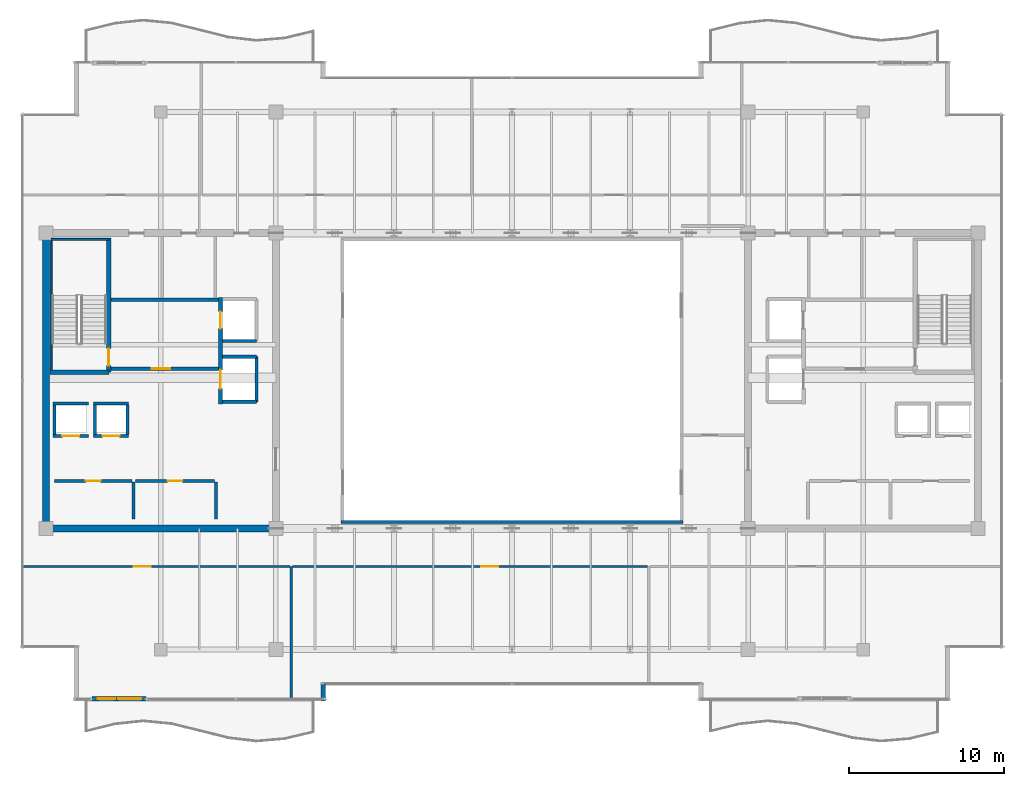
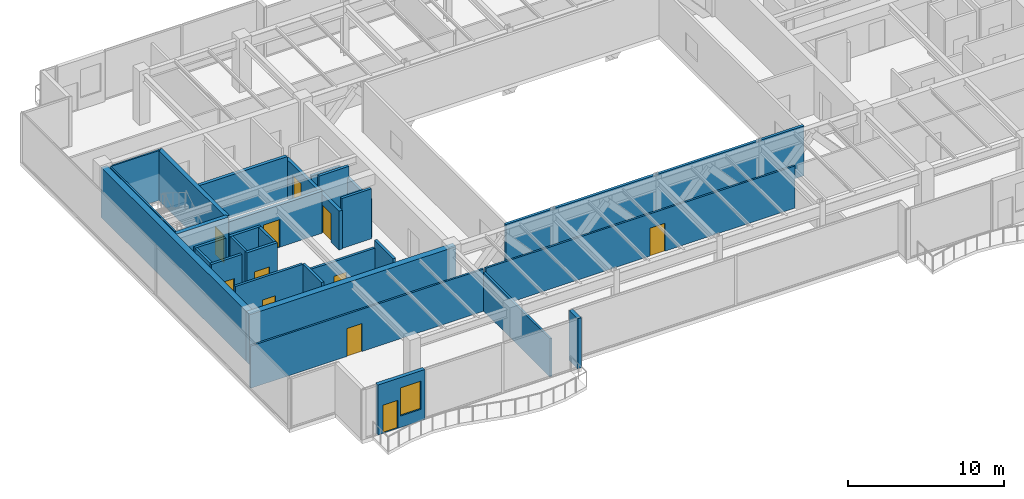
# One storey, part 25 of 31: 30 walls, 11 doors, 1 window, 12 openings.
"""IFC4 building model written with IfcOpenShell, lengths in metres."""

from ifc_helpers import new_model, si_unit, direction, frame, frame_2d, origin, place, context, subcontext, project, spatial, rectangle, extrude, source, transform, mapped, material, layer, layer_set, type_object, type_shapes, element, fill, save


model = new_model("IFC4")

# Units and contexts
model_context = context("Model", 3, precision=1e-05, world=origin(), true_north=direction((0.0, 1.0)))
body_context = subcontext(model_context, "Body", "Model", "MODEL_VIEW")
ifc_project = project(units=[si_unit("LENGTHUNIT", "METRE"), si_unit("AREAUNIT", "SQUARE_METRE"), si_unit("VOLUMEUNIT", "CUBIC_METRE"), si_unit("PLANEANGLEUNIT", "RADIAN"), si_unit("MASSUNIT", "GRAM", prefix="KILO")], contexts=[model_context])

# Site, building, storey
site_placement = place(None, origin())
site = spatial("IfcSite", under=ifc_project, at=site_placement, CompositionType="ELEMENT")
building_placement = place(site_placement, origin())
building = spatial("IfcBuilding", under=site, at=building_placement, Name="Haelvirn Gate Laboratories", CompositionType="ELEMENT")
storey_placement = place(building_placement, frame((0.0, 0.0, 310.199951171875)))
storey = spatial("IfcBuildingStorey", under=building, at=storey_placement, Name="L74", CompositionType="ELEMENT", Elevation=310.199951171875)

# Wall, openings, door, window
ifc_material_1 = material(Name="Thermally-broken bronze aluminium rainscreen & mineral wool", Category="aluminium")
ifc_layer_1 = layer(ifc_material_1, 0.280029296875, Name="EW-TERR-280")
ifc_layer_set_1 = layer_set([ifc_layer_1], Name="Thermally-broken bronze aluminium rainscreen & mineral wool")
wall_type_1 = type_object("IfcWallType", Name="EW-TERR-280", PredefinedType="STANDARD", material=ifc_layer_set_1)
wall_1_placement = place(storey_placement, frame((10.3720703125, 3.840087890625, 0.0), z_axis=(0.0, 0.0, 1.0), x_axis=(1.0, 0.0, 0.0)))
wall_1 = element("IfcWall", 1, at=wall_1_placement, inside=storey, type_object=wall_type_1, Name="L74 Terrace Access Wall WB-WL-S", PredefinedType="STANDARD", context=body_context, shape_type="SweptSolid", body=[
    extrude(rectangle(XDim=3.455810546875, YDim=0.280029296875, at=frame_2d((1.72802734375, 0.0))), origin(), (0.0, 0.0, 1.0), 3.900146484375),
])
opening_1_placement = place(wall_1_placement, frame((0.3779296875, 0.0, 0.0)))
opening_1 = element("IfcOpeningElement", 2, at=opening_1_placement, cuts=wall_1, Name="Opening TD1", PredefinedType="OPENING", context=body_context, shape_type="SweptSolid", body=[
    extrude(rectangle(XDim=1.10009765625, YDim=2.199951171875, at=frame_2d((0.550048828125, 1.10009765625))), frame((0.0, 0.14990234375, 0.0), z_axis=(0.0, -1.0, 0.0), x_axis=(1.0, 0.0, 0.0)), (0.0, 0.0, 1.0), 0.300048828125),
])
opening_2_placement = place(wall_1_placement, frame((1.677978515625, 0.0, 0.89990234375)))
opening_2 = element("IfcOpeningElement", 3, at=opening_2_placement, cuts=wall_1, Name="Opening W3", PredefinedType="OPENING", context=body_context, shape_type="SweptSolid", body=[
    extrude(rectangle(XDim=1.5, YDim=2.199951171875, at=frame_2d((0.75, 1.10009765625))), frame((0.0, 0.14990234375, 0.0), z_axis=(0.0, -1.0, 0.0), x_axis=(1.0, 0.0, 0.0)), (0.0, 0.0, 1.0), 0.300048828125),
])
ifc_material_2 = material(Name="Thermally-broken bronze aluminium glazed terrace door", Category="aluminium")
door_type_1 = type_object("IfcDoorType", Name="DR-TERR-1100", OperationType="NOTDEFINED", PredefinedType="DOOR", material=ifc_material_2)
shared_shape_1 = source(origin(), body_context, "Body", "SweptSolid", [
    extrude(rectangle(XDim=1.10009765625, YDim=2.199951171875, at=frame_2d((0.550048828125, 1.10009765625))), frame((0.0, 0.02490234375, 0.0), z_axis=(0.0, -1.0, 0.0), x_axis=(1.0, 0.0, 0.0)), (0.0, 0.0, 1.0), 0.050048828125),
])
type_shapes(door_type_1, [shared_shape_1])
door_1_placement = place(opening_1_placement, origin())
door_1 = element("IfcDoor", 4, at=door_1_placement, inside=storey, type_object=door_type_1, Name="L74 Terrace Access Door WB-WL-S", OperationType="SINGLE_SWING_LEFT", OverallHeight=2.199951171875, OverallWidth=1.10009765625, PredefinedType="DOOR", context=body_context, shape_type="MappedRepresentation", body=[
    mapped(shared_shape_1, transform((0.0, 0.0, 0.0), scale=1.0)),
])
fill(opening_1, door_1)
ifc_material_3 = material(Name="Bronze anodised aluminium & triple low-E glass", Category="aluminium")
window_type = type_object("IfcWindowType", Name="WIN-TERR-1600", PartitioningType="SINGLE_PANEL", PredefinedType="WINDOW", material=ifc_material_3)
shared_shape_2 = source(origin(), body_context, "Body", "SweptSolid", [
    extrude(rectangle(XDim=1.5, YDim=2.199951171875, at=frame_2d((0.75, 1.10009765625))), frame((0.0, 0.030029296875, 0.0), z_axis=(0.0, -1.0, 0.0), x_axis=(1.0, 0.0, 0.0)), (0.0, 0.0, 1.0), 0.06005859375),
])
type_shapes(window_type, [shared_shape_2])
window_placement = place(opening_2_placement, origin())
window = element("IfcWindow", 5, at=window_placement, inside=storey, type_object=window_type, Name="L74 Terrace Vision Window WB-WL-S", OverallHeight=2.199951171875, OverallWidth=1.5, PartitioningType="SINGLE_PANEL", PredefinedType="WINDOW", context=body_context, shape_type="MappedRepresentation", body=[
    mapped(shared_shape_2, transform((0.0, 0.0, 0.0), scale=1.0)),
])
fill(opening_2, window)

# Walls
wall_2_placement = place(storey_placement, frame((25.260009765625, 3.699951171875, 0.0), z_axis=(0.0, 0.0, 1.0), x_axis=(0.0, 1.0, 0.0)))
element("IfcWall", 6, at=wall_2_placement, inside=storey, type_object=wall_type_1, Name="L74 Atrium Recess Bronze Return Wall 01", PredefinedType="STANDARD", context=body_context, shape_type="SweptSolid", body=[
    extrude(rectangle(XDim=1.093017578125, YDim=0.280029296875, at=frame_2d((0.54638671875, 0.0))), origin(), (0.0, 0.0, 1.0), 3.900146484375),
])
ifc_material_4 = material(Name="Double-layer acoustic gypsum laboratory partition", Category="gypsum")
ifc_layer_2 = layer(ifc_material_4, 0.159912109375, Name="IW-ACOUST-160")
ifc_layer_set_2 = layer_set([ifc_layer_2], Name="Double-layer acoustic gypsum laboratory partition")
wall_type_2 = type_object("IfcWallType", Name="IW-ACOUST-160", PredefinedType="PARTITIONING", material=ifc_layer_set_2)
wall_3_placement = place(storey_placement, frame((23.199951171875, 3.81005859375, 0.0), z_axis=(0.0, 0.0, 1.0), x_axis=(0.0, 1.0, 0.0)))
element("IfcWall", 7, at=wall_3_placement, inside=storey, type_object=wall_type_2, Name="L74 Interior Wall IW-L74-SDIV-01", PredefinedType="PARTITIONING", context=body_context, shape_type="SweptSolid", body=[
    extrude(rectangle(XDim=8.530029296875, YDim=0.159912109375, at=frame_2d((4.26513671875, 0.0))), origin(), (0.0, 0.0, 1.0), 2.985107421875),
])
ifc_material_5 = material(Name="Tempered fire-rated borosilicate glass & anodised aluminium", Category="aluminium")
ifc_layer_3 = layer(ifc_material_5, 0.195068359375, Name="IW-GLAZ-200")
ifc_layer_set_3 = layer_set([ifc_layer_3], Name="Tempered fire-rated borosilicate glass & anodised aluminium")
wall_type_3 = type_object("IfcWallType", Name="IW-GLAZ-200", PredefinedType="SOLIDWALL", material=ifc_layer_set_3)
wall_4_placement = place(storey_placement, frame((26.39990234375, 15.199951171875, 0.0), z_axis=(0.0, 0.0, 1.0), x_axis=(1.0, 0.0, 0.0)))
element("IfcWall", 8, at=wall_4_placement, inside=storey, type_object=wall_type_3, Name="L74 Interior Wall IW-L74-ATRIUM-S", PredefinedType="SOLIDWALL", context=body_context, shape_type="SweptSolid", body=[
    extrude(rectangle(XDim=22.0, YDim=0.195068359375, at=frame_2d((11.0, 0.0))), origin(), (0.0, 0.0, 1.0), 3.900146484375),
])

# Wall, opening, door
ifc_material_6 = material(Name="Acoustic mineral-wool gypsum board partition", Category="gypsum")
ifc_layer_4 = layer(ifc_material_6, 0.139892578125, Name="IW-PART-140")
ifc_layer_set_4 = layer_set([ifc_layer_4], Name="Acoustic mineral-wool gypsum board partition")
wall_type_4 = type_object("IfcWallType", Name="IW-PART-140", PredefinedType="PARTITIONING", material=ifc_layer_set_4)
wall_5_placement = place(storey_placement, frame((5.909912109375, 12.340087890625, 0.0), z_axis=(0.0, 0.0, 1.0), x_axis=(1.0, 0.0, 0.0)))
wall_5 = element("IfcWall", 9, at=wall_5_placement, inside=storey, type_object=wall_type_4, Name="L74 Interior Wall IW-L74-SCORR-01", PredefinedType="PARTITIONING", context=body_context, shape_type="SweptSolid", body=[
    extrude(rectangle(XDim=17.210205078125, YDim=0.139892578125, at=frame_2d((8.60498046875, 0.0))), origin(), (0.0, 0.0, 1.0), 3.297119140625),
])
opening_3_placement = place(wall_5_placement, frame((7.13037109375, 0.0, 0.0)))
opening_3 = element("IfcOpeningElement", 10, at=opening_3_placement, cuts=wall_5, Name="Opening D1", PredefinedType="OPENING", context=body_context, shape_type="SweptSolid", body=[
    extrude(rectangle(XDim=1.10009765625, YDim=2.179931640625, at=frame_2d((0.550048828125, 1.08984375))), frame((0.0, 0.080078125, 0.0), z_axis=(0.0, -1.0, 0.0), x_axis=(1.0, 0.0, 0.0)), (0.0, 0.0, 1.0), 0.159912109375),
])
ifc_material_7 = material(Name="Vision-panel acoustic solid-core timber lab door", Category="wood")
door_type_2 = type_object("IfcDoorType", Name="DR-LAB-1100", OperationType="NOTDEFINED", PredefinedType="DOOR", material=ifc_material_7)
shared_shape_3 = source(origin(), body_context, "Body", "SweptSolid", [
    extrude(rectangle(XDim=1.10009765625, YDim=2.179931640625, at=frame_2d((0.550048828125, 1.08984375))), frame((0.0, 0.02490234375, 0.0), z_axis=(0.0, -1.0, 0.0), x_axis=(1.0, 0.0, 0.0)), (0.0, 0.0, 1.0), 0.050048828125),
])
type_shapes(door_type_2, [shared_shape_3])
door_2_placement = place(opening_3_placement, origin())
door_2 = element("IfcDoor", 11, at=door_2_placement, inside=storey, type_object=door_type_2, Name="L74 Peer-Review Seminar Room Door S1", OperationType="SINGLE_SWING_LEFT", OverallHeight=2.179931640625, OverallWidth=1.10009765625, PredefinedType="DOOR", context=body_context, shape_type="MappedRepresentation", body=[
    mapped(shared_shape_3, transform((0.0, 0.0, 0.0), scale=1.0)),
])
fill(opening_3, door_2)

wall_6_placement = place(storey_placement, frame((23.280029296875, 12.340087890625, 0.0), z_axis=(0.0, 0.0, 1.0), x_axis=(1.0, 0.0, 0.0)))
wall_6 = element("IfcWall", 12, at=wall_6_placement, inside=storey, type_object=wall_type_4, Name="L74 Interior Wall IW-L74-SCORR-02", PredefinedType="PARTITIONING", context=body_context, shape_type="SweptSolid", body=[
    extrude(rectangle(XDim=22.840087890625, YDim=0.139892578125, at=frame_2d((11.419921875, 0.0))), origin(), (0.0, 0.0, 1.0), 3.297119140625),
])
opening_4_placement = place(wall_6_placement, frame((12.13232421875, 0.0, 0.0)))
opening_4 = element("IfcOpeningElement", 13, at=opening_4_placement, cuts=wall_6, Name="Opening D1", PredefinedType="OPENING", context=body_context, shape_type="SweptSolid", body=[
    extrude(rectangle(XDim=1.10009765625, YDim=2.179931640625, at=frame_2d((0.550048828125, 1.08984375))), frame((0.0, 0.080078125, 0.0), z_axis=(0.0, -1.0, 0.0), x_axis=(1.0, 0.0, 0.0)), (0.0, 0.0, 1.0), 0.159912109375),
])
door_3_placement = place(opening_4_placement, origin())
door_3 = element("IfcDoor", 14, at=door_3_placement, inside=storey, type_object=door_type_2, Name="L74 Colloquium Conference Room Door S2", OperationType="SINGLE_SWING_RIGHT", OverallHeight=2.179931640625, OverallWidth=1.10009765625, PredefinedType="DOOR", context=body_context, shape_type="MappedRepresentation", body=[
    mapped(shared_shape_3, transform((0.0, 0.0, 0.0), scale=1.0)),
])
fill(opening_4, door_3)

# Walls
ifc_material_8 = material(Name="Concrete C40/50", Category="concrete")
ifc_layer_5 = layer(ifc_material_8, 0.179931640625, Name="IW-SHAFT-180")
ifc_layer_set_5 = layer_set([ifc_layer_5], Name="Concrete C40/50")
wall_type_5 = type_object("IfcWallType", Name="IW-SHAFT-180", PredefinedType="SOLIDWALL", material=ifc_layer_set_5)
for number, where, z_axis, x_axis, name in (
    (15, (7.949951171875, 20.85009765625, 0.0), (0.0, 0.0, 1.0), (0.0, 1.0, 0.0), "L74 Interior Wall IW-L74-PL9-SD"),
    (16, (10.550048828125, 20.85009765625, 0.0), (0.0, 0.0, 1.0), (0.0, 1.0, 0.0), "L74 Interior Wall IW-L74-PL10-SD"),
    (17, (12.64990234375, 20.85009765625, 0.0), (0.0, 0.0, 1.0), (0.0, 1.0, 0.0), "L74 Interior Wall IW-L74-PL10-SDE"),
):
    element("IfcWall", number, at=place(storey_placement, frame(where, z_axis=z_axis, x_axis=x_axis)), inside=storey, type_object=wall_type_5, Name=name, PredefinedType="SOLIDWALL", context=body_context, shape_type="SweptSolid", body=[
        extrude(rectangle(XDim=1.89990234375, YDim=0.179931640625, at=frame_2d((0.949951171875, 0.0))), origin(), (0.0, 0.0, 1.0), 3.900146484375),
    ])

# Wall, opening, door
wall_7_placement = place(storey_placement, frame((7.949951171875, 17.85009765625, 0.0), z_axis=(0.0, 0.0, 1.0), x_axis=(1.0, 0.0, 0.0)))
wall_7 = element("IfcWall", 18, at=wall_7_placement, inside=storey, type_object=wall_type_5, Name="L74 Interior Wall IW-L74-W-FREED-HN-1", PredefinedType="SOLIDWALL", context=body_context, shape_type="SweptSolid", body=[
    extrude(rectangle(XDim=5.0, YDim=0.179931640625, at=frame_2d((2.5, 0.0))), origin(), (0.0, 0.0, 1.0), 3.900146484375),
])
opening_5_placement = place(wall_7_placement, frame((2.02490234375, 0.0, 0.0)))
opening_5 = element("IfcOpeningElement", 19, at=opening_5_placement, cuts=wall_7, Name="Opening FD4", PredefinedType="OPENING", context=body_context, shape_type="SweptSolid", body=[
    extrude(rectangle(XDim=0.949951171875, YDim=2.14990234375, at=frame_2d((0.47509765625, 1.074951171875))), frame((0.0, 0.10009765625, 0.0), z_axis=(0.0, -1.0, 0.0), x_axis=(1.0, 0.0, 0.0)), (0.0, 0.0, 1.0), 0.199951171875),
])
ifc_material_9 = material(Name="Fire-rated steel SM355 core service door", Category="steel")
door_type_3 = type_object("IfcDoorType", Name="DR-FD-950", OperationType="NOTDEFINED", PredefinedType="DOOR", material=ifc_material_9)
shared_shape_4 = source(origin(), body_context, "Body", "SweptSolid", [
    extrude(rectangle(XDim=0.949951171875, YDim=2.14990234375, at=frame_2d((0.47509765625, 1.074951171875))), frame((0.0, 0.02490234375, 0.0), z_axis=(0.0, -1.0, 0.0), x_axis=(1.0, 0.0, 0.0)), (0.0, 0.0, 1.0), 0.050048828125),
])
type_shapes(door_type_3, [shared_shape_4])
door_4_placement = place(opening_5_placement, origin())
door_4 = element("IfcDoor", 20, at=door_4_placement, inside=storey, type_object=door_type_3, Name="L74 Cryogenic Specimen Biobank Door", OperationType="SINGLE_SWING_LEFT", OverallHeight=2.14990234375, OverallWidth=0.949951171875, PredefinedType="DOOR", context=body_context, shape_type="MappedRepresentation", body=[
    mapped(shared_shape_4, transform((0.0, 0.0, 0.0), scale=1.0)),
])
fill(opening_5, door_4)

# Wall
wall_8_placement = place(storey_placement, frame((13.0400390625, 15.39990234375, 0.0), z_axis=(0.0, 0.0, 1.0), x_axis=(0.0, 1.0, 0.0)))
element("IfcWall", 21, at=wall_8_placement, inside=storey, type_object=wall_type_5, Name="L74 Interior Wall IW-L74-W-FREED-HE-1", PredefinedType="SOLIDWALL", context=body_context, shape_type="SweptSolid", body=[
    extrude(rectangle(XDim=2.400146484375, YDim=0.179931640625, at=frame_2d((1.2001953125, 0.0))), origin(), (0.0, 0.0, 1.0), 3.900146484375),
])

# Wall, opening, door
wall_9_placement = place(storey_placement, frame((13.14990234375, 17.85009765625, 0.0), z_axis=(0.0, 0.0, 1.0), x_axis=(1.0, 0.0, 0.0)))
wall_9 = element("IfcWall", 22, at=wall_9_placement, inside=storey, type_object=wall_type_5, Name="L74 Interior Wall IW-L74-W-FREED-HN-2", PredefinedType="SOLIDWALL", context=body_context, shape_type="SweptSolid", body=[
    extrude(rectangle(XDim=5.10009765625, YDim=0.179931640625, at=frame_2d((2.550048828125, 0.0))), origin(), (0.0, 0.0, 1.0), 3.297119140625),
])
opening_6_placement = place(wall_9_placement, frame((2.074951171875, 0.0, 0.0)))
opening_6 = element("IfcOpeningElement", 23, at=opening_6_placement, cuts=wall_9, Name="Opening FD4", PredefinedType="OPENING", context=body_context, shape_type="SweptSolid", body=[
    extrude(rectangle(XDim=0.949951171875, YDim=2.14990234375, at=frame_2d((0.47509765625, 1.074951171875))), frame((0.0, 0.10009765625, 0.0), z_axis=(0.0, -1.0, 0.0), x_axis=(1.0, 0.0, 0.0)), (0.0, 0.0, 1.0), 0.199951171875),
])
door_5_placement = place(opening_6_placement, origin())
door_5 = element("IfcDoor", 24, at=door_5_placement, inside=storey, type_object=door_type_3, Name="L74 Cryo-Assay Preparation Laboratory Door", OperationType="SINGLE_SWING_RIGHT", OverallHeight=2.14990234375, OverallWidth=0.949951171875, PredefinedType="DOOR", context=body_context, shape_type="MappedRepresentation", body=[
    mapped(shared_shape_4, transform((0.0, 0.0, 0.0), scale=1.0)),
])
fill(opening_6, door_5)

# Wall
wall_10_placement = place(storey_placement, frame((18.340087890625, 15.39990234375, 0.0), z_axis=(0.0, 0.0, 1.0), x_axis=(0.0, 1.0, 0.0)))
element("IfcWall", 25, at=wall_10_placement, inside=storey, type_object=wall_type_5, Name="L74 Interior Wall IW-L74-W-FREED-HE-2", PredefinedType="SOLIDWALL", context=body_context, shape_type="SweptSolid", body=[
    extrude(rectangle(XDim=2.400146484375, YDim=0.179931640625, at=frame_2d((1.2001953125, 0.0))), origin(), (0.0, 0.0, 1.0), 3.900146484375),
])

# Wall, opening, door
ifc_layer_6 = layer(ifc_material_8, 0.199951171875, Name="IW-SHAFT-200")
ifc_layer_set_6 = layer_set([ifc_layer_6], Name="Concrete C40/50")
wall_type_6 = type_object("IfcWallType", Name="IW-SHAFT-200", PredefinedType="SOLIDWALL", material=ifc_layer_set_6)
wall_11_placement = place(storey_placement, frame((7.8701171875, 20.75, 0.0), z_axis=(0.0, 0.0, 1.0), x_axis=(1.0, 0.0, 0.0)))
wall_11 = element("IfcWall", 26, at=wall_11_placement, inside=storey, type_object=wall_type_6, Name="L74 Interior Wall IW-L74-PL9-FR", PredefinedType="SOLIDWALL", context=body_context, shape_type="SweptSolid", body=[
    extrude(rectangle(XDim=2.259765625, YDim=0.199951171875, at=frame_2d((1.1298828125, 0.0))), origin(), (0.0, 0.0, 1.0), 3.900146484375),
])
opening_7_placement = place(wall_11_placement, frame((0.580078125, 0.0, 0.0)))
opening_7 = element("IfcOpeningElement", 27, at=opening_7_placement, cuts=wall_11, Name="Opening LD2", PredefinedType="OPENING", context=body_context, shape_type="SweptSolid", body=[
    extrude(rectangle(XDim=1.10009765625, YDim=2.219970703125, at=frame_2d((0.550048828125, 1.10986328125))), frame((0.0, 0.10986328125, 0.0), z_axis=(0.0, -1.0, 0.0), x_axis=(1.0, 0.0, 0.0)), (0.0, 0.0, 1.0), 0.219970703125),
])
ifc_material_10 = material(Name="Bronze stainless 316L sliding lift landing door")
door_type_4 = type_object("IfcDoorType", Name="DR-LD-1100", OperationType="NOTDEFINED", PredefinedType="USERDEFINED", material=ifc_material_10)
shared_shape_5 = source(origin(), body_context, "Body", "SweptSolid", [
    extrude(rectangle(XDim=1.10009765625, YDim=2.219970703125, at=frame_2d((0.550048828125, 1.10986328125))), frame((0.0, 0.02490234375, 0.0), z_axis=(0.0, -1.0, 0.0), x_axis=(1.0, 0.0, 0.0)), (0.0, 0.0, 1.0), 0.050048828125),
])
type_shapes(door_type_4, [shared_shape_5])
door_6_placement = place(opening_7_placement, origin())
door_6 = element("IfcDoor", 28, at=door_6_placement, inside=storey, type_object=door_type_4, Name="L74 Passenger Lift PL9 Landing Door", ObjectType="LANDING_DOOR", OperationType="SLIDING_TO_LEFT", OverallHeight=2.219970703125, OverallWidth=1.10009765625, PredefinedType="USERDEFINED", context=body_context, shape_type="MappedRepresentation", body=[
    mapped(shared_shape_5, transform((0.0, 0.0, 0.0), scale=1.0)),
])
fill(opening_7, door_6)

# Wall
wall_12_placement = place(storey_placement, frame((7.8701171875, 22.85009765625, 0.0), z_axis=(0.0, 0.0, 1.0), x_axis=(1.0, 0.0, 0.0)))
element("IfcWall", 29, at=wall_12_placement, inside=storey, type_object=wall_type_6, Name="L74 Interior Wall IW-L74-PL9-BK", PredefinedType="SOLIDWALL", context=body_context, shape_type="SweptSolid", body=[
    extrude(rectangle(XDim=2.259765625, YDim=0.199951171875, at=frame_2d((1.1298828125, 0.0))), origin(), (0.0, 0.0, 1.0), 3.900146484375),
])

# Wall, opening, door
wall_13_placement = place(storey_placement, frame((10.469970703125, 20.75, 0.0), z_axis=(0.0, 0.0, 1.0), x_axis=(1.0, 0.0, 0.0)))
wall_13 = element("IfcWall", 30, at=wall_13_placement, inside=storey, type_object=wall_type_6, Name="L74 Interior Wall IW-L74-PL10-FR", PredefinedType="SOLIDWALL", context=body_context, shape_type="SweptSolid", body=[
    extrude(rectangle(XDim=2.260009765625, YDim=0.199951171875, at=frame_2d((1.1298828125, 0.0))), origin(), (0.0, 0.0, 1.0), 3.900146484375),
])
opening_8_placement = place(wall_13_placement, frame((0.580078125, 0.0, 0.0)))
opening_8 = element("IfcOpeningElement", 31, at=opening_8_placement, cuts=wall_13, Name="Opening LD2", PredefinedType="OPENING", context=body_context, shape_type="SweptSolid", body=[
    extrude(rectangle(XDim=1.10009765625, YDim=2.219970703125, at=frame_2d((0.550048828125, 1.10986328125))), frame((0.0, 0.10986328125, 0.0), z_axis=(0.0, -1.0, 0.0), x_axis=(1.0, 0.0, 0.0)), (0.0, 0.0, 1.0), 0.219970703125),
])
door_7_placement = place(opening_8_placement, origin())
door_7 = element("IfcDoor", 32, at=door_7_placement, inside=storey, type_object=door_type_4, Name="L74 Passenger Lift PL10 Landing Door", ObjectType="LANDING_DOOR", OperationType="SLIDING_TO_RIGHT", OverallHeight=2.219970703125, OverallWidth=1.10009765625, PredefinedType="USERDEFINED", context=body_context, shape_type="MappedRepresentation", body=[
    mapped(shared_shape_5, transform((0.0, 0.0, 0.0), scale=1.0)),
])
fill(opening_8, door_7)

# Walls
wall_14_placement = place(storey_placement, frame((10.469970703125, 22.85009765625, 0.0), z_axis=(0.0, 0.0, 1.0), x_axis=(1.0, 0.0, 0.0)))
element("IfcWall", 33, at=wall_14_placement, inside=storey, type_object=wall_type_6, Name="L74 Interior Wall IW-L74-PL10-BK", PredefinedType="SOLIDWALL", context=body_context, shape_type="SweptSolid", body=[
    extrude(rectangle(XDim=2.260009765625, YDim=0.199951171875, at=frame_2d((1.1298828125, 0.0))), origin(), (0.0, 0.0, 1.0), 3.900146484375),
])
wall_15_placement = place(storey_placement, frame((18.760009765625, 26.85009765625, 0.0), z_axis=(0.0, 0.0, 1.0), x_axis=(1.0, 0.0, 0.0)))
element("IfcWall", 34, at=wall_15_placement, inside=storey, type_object=wall_type_6, Name="L74 Interior Wall IW-L74-FL1-S", PredefinedType="SOLIDWALL", context=body_context, shape_type="SweptSolid", body=[
    extrude(rectangle(XDim=2.18994140625, YDim=0.199951171875, at=frame_2d((1.094970703125, 0.0))), origin(), (0.0, 0.0, 1.0), 3.297119140625),
])
wall_16_placement = place(storey_placement, frame((20.949951171875, 22.949951171875, 0.0), z_axis=(0.0, 0.0, 1.0), x_axis=(0.0, 1.0, 0.0)))
element("IfcWall", 35, at=wall_16_placement, inside=storey, type_object=wall_type_6, Name="L74 Interior Wall IW-L74-SL1-BK", PredefinedType="SOLIDWALL", context=body_context, shape_type="SweptSolid", body=[
    extrude(rectangle(XDim=2.900146484375, YDim=0.199951171875, at=frame_2d((1.4501953125, 0.0))), origin(), (0.0, 0.0, 1.0), 3.03515625),
])
for number, where, z_axis, x_axis, name in (
    (36, (18.760009765625, 25.85009765625, 0.0), (0.0, 0.0, 1.0), (1.0, 0.0, 0.0), "L74 Interior Wall IW-L74-SL1-N"),
    (37, (18.760009765625, 22.949951171875, 0.0), (0.0, 0.0, 1.0), (1.0, 0.0, 0.0), "L74 Interior Wall IW-L74-SL1-S"),
):
    element("IfcWall", number, at=place(storey_placement, frame(where, z_axis=z_axis, x_axis=x_axis)), inside=storey, type_object=wall_type_6, Name=name, PredefinedType="SOLIDWALL", context=body_context, shape_type="SweptSolid", body=[
        extrude(rectangle(XDim=2.18994140625, YDim=0.199951171875, at=frame_2d((1.094970703125, 0.0))), origin(), (0.0, 0.0, 1.0), 3.900146484375),
    ])

# Wall, opening, door
ifc_layer_7 = layer(ifc_material_8, 0.239990234375, Name="IW-SHAFT-240")
ifc_layer_set_7 = layer_set([ifc_layer_7], Name="Concrete C40/50")
wall_type_7 = type_object("IfcWallType", Name="IW-SHAFT-240", PredefinedType="SOLIDWALL", material=ifc_layer_set_7)
wall_17_placement = place(storey_placement, frame((11.60009765625, 25.080078125, 0.0), z_axis=(0.0, 0.0, 1.0), x_axis=(1.0, 0.0, 0.0)))
wall_17 = element("IfcWall", 38, at=wall_17_placement, inside=storey, type_object=wall_type_7, Name="L74 Interior Wall IW-L74-W-FF-S", PredefinedType="SOLIDWALL", context=body_context, shape_type="SweptSolid", body=[
    extrude(rectangle(XDim=6.919921875, YDim=0.239990234375, at=frame_2d((3.4599609375, 0.0))), origin(), (0.0, 0.0, 1.0), 3.297119140625),
])
opening_9_placement = place(wall_17_placement, frame((2.60009765625, 0.0, 0.0)))
opening_9 = element("IfcOpeningElement", 39, at=opening_9_placement, cuts=wall_17, Name="Opening FD2", PredefinedType="OPENING", context=body_context, shape_type="SweptSolid", body=[
    extrude(rectangle(XDim=1.199951171875, YDim=2.159912109375, at=frame_2d((0.60009765625, 1.080078125))), frame((0.0, 0.1298828125, 0.0), z_axis=(0.0, -1.0, 0.0), x_axis=(1.0, 0.0, 0.0)), (0.0, 0.0, 1.0), 0.260009765625),
])
ifc_material_11 = material(Name="Fire-rated steel SM355 compartment door", Category="steel")
door_type_5 = type_object("IfcDoorType", Name="DR-FD-1200", OperationType="NOTDEFINED", PredefinedType="DOOR", material=ifc_material_11)
shared_shape_6 = source(origin(), body_context, "Body", "SweptSolid", [
    extrude(rectangle(XDim=1.199951171875, YDim=2.159912109375, at=frame_2d((0.60009765625, 1.080078125))), frame((0.0, 0.02490234375, 0.0), z_axis=(0.0, -1.0, 0.0), x_axis=(1.0, 0.0, 0.0)), (0.0, 0.0, 1.0), 0.050048828125),
])
type_shapes(door_type_5, [shared_shape_6])
door_8_placement = place(opening_9_placement, origin())
door_8 = element("IfcDoor", 40, at=door_8_placement, inside=storey, type_object=door_type_5, Name="L74 West Firefighting Lobby Door", OperationType="SINGLE_SWING_RIGHT", OverallHeight=2.159912109375, OverallWidth=1.199951171875, PredefinedType="DOOR", context=body_context, shape_type="MappedRepresentation", body=[
    mapped(shared_shape_6, transform((0.0, 0.0, 0.0), scale=1.0)),
])
fill(opening_9, door_8)

# Wall
wall_18_placement = place(storey_placement, frame((11.60009765625, 29.52001953125, 0.0), z_axis=(0.0, 0.0, 1.0), x_axis=(1.0, 0.0, 0.0)))
element("IfcWall", 41, at=wall_18_placement, inside=storey, type_object=wall_type_7, Name="L74 Interior Wall IW-L74-W-FF-N", PredefinedType="SOLIDWALL", context=body_context, shape_type="SweptSolid", body=[
    extrude(rectangle(XDim=6.919921875, YDim=0.239990234375, at=frame_2d((3.4599609375, 0.0))), origin(), (0.0, 0.0, 1.0), 3.297119140625),
])

# Wall, openings, doors
wall_19_placement = place(storey_placement, frame((18.639892578125, 22.800048828125, 0.0), z_axis=(0.0, 0.0, 1.0), x_axis=(0.0, 1.0, 0.0)))
wall_19 = element("IfcWall", 42, at=wall_19_placement, inside=storey, type_object=wall_type_7, Name="L74 Interior Wall IW-L74-W-FF-E", PredefinedType="SOLIDWALL", context=body_context, shape_type="SweptSolid", body=[
    extrude(rectangle(XDim=6.849853515625, YDim=0.239990234375, at=frame_2d((3.4248046875, 0.0))), origin(), (0.0, 0.0, 1.0), 3.03515625),
])
opening_10_placement = place(wall_19_placement, frame((4.85009765625, 0.0, 0.0)))
opening_10 = element("IfcOpeningElement", 43, at=opening_10_placement, cuts=wall_19, Name="Opening LD2", PredefinedType="OPENING", context=body_context, shape_type="SweptSolid", body=[
    extrude(rectangle(XDim=1.10009765625, YDim=2.219970703125, at=frame_2d((0.550048828125, 1.10986328125))), frame((0.0, 0.1298828125, 0.0), z_axis=(0.0, -1.0, 0.0), x_axis=(1.0, 0.0, 0.0)), (0.0, 0.0, 1.0), 0.260009765625),
])
opening_11_placement = place(wall_19_placement, frame((1.0, 0.0, 0.0)))
opening_11 = element("IfcOpeningElement", 44, at=opening_11_placement, cuts=wall_19, Name="Opening LD1", PredefinedType="OPENING", context=body_context, shape_type="SweptSolid", body=[
    extrude(rectangle(XDim=1.199951171875, YDim=2.219970703125, at=frame_2d((0.60009765625, 1.10986328125))), frame((0.0, 0.1298828125, 0.0), z_axis=(0.0, -1.0, 0.0), x_axis=(1.0, 0.0, 0.0)), (0.0, 0.0, 1.0), 0.260009765625),
])
door_9_placement = place(opening_10_placement, origin())
door_9 = element("IfcDoor", 45, at=door_9_placement, inside=storey, type_object=door_type_4, Name="L74 Firefighting Lift FL1 Landing Door", ObjectType="LANDING_DOOR", OperationType="SLIDING_TO_LEFT", OverallHeight=2.219970703125, OverallWidth=1.10009765625, PredefinedType="USERDEFINED", context=body_context, shape_type="MappedRepresentation", body=[
    mapped(shared_shape_5, transform((0.0, 0.0, 0.0), scale=1.0)),
])
fill(opening_10, door_9)
ifc_material_12 = material(Name="Stainless steel 316L sliding goods landing door", Category="steel")
door_type_6 = type_object("IfcDoorType", Name="DR-LD-1200", OperationType="NOTDEFINED", PredefinedType="USERDEFINED", material=ifc_material_12)
shared_shape_7 = source(origin(), body_context, "Body", "SweptSolid", [
    extrude(rectangle(XDim=1.199951171875, YDim=2.219970703125, at=frame_2d((0.60009765625, 1.10986328125))), frame((0.0, 0.02490234375, 0.0), z_axis=(0.0, -1.0, 0.0), x_axis=(1.0, 0.0, 0.0)), (0.0, 0.0, 1.0), 0.050048828125),
])
type_shapes(door_type_6, [shared_shape_7])
door_10_placement = place(opening_11_placement, origin())
door_10 = element("IfcDoor", 46, at=door_10_placement, inside=storey, type_object=door_type_6, Name="L74 Service Lift SL1 Landing Door", ObjectType="LANDING_DOOR", OperationType="SLIDING_TO_RIGHT", OverallHeight=2.219970703125, OverallWidth=1.199951171875, PredefinedType="USERDEFINED", context=body_context, shape_type="MappedRepresentation", body=[
    mapped(shared_shape_7, transform((0.0, 0.0, 0.0), scale=1.0)),
])
fill(opening_11, door_10)

# Walls
ifc_material_13 = material(Name="Concrete C50/60", Category="concrete")
ifc_layer_8 = layer(ifc_material_13, 0.449951171875, Name="SW-CORE-450")
ifc_layer_set_8 = layer_set([ifc_layer_8], Name="Concrete C50/60")
wall_type_8 = type_object("IfcWallType", Name="SW-CORE-450", PredefinedType="SHEAR", material=ifc_layer_set_8)
wall_20_placement = place(storey_placement, frame((7.175048828125, 14.800048828125, 0.0), z_axis=(0.0, 0.0, 1.0), x_axis=(1.0, 0.0, 0.0)))
element("IfcWall", 47, at=wall_20_placement, inside=storey, type_object=wall_type_8, Name="L74 W Core Shear Wall S", PredefinedType="SHEAR", context=body_context, shape_type="SweptSolid", body=[
    extrude(rectangle(XDim=15.25, YDim=0.449951171875, at=frame_2d((7.625, 0.0))), origin(), (0.0, 0.0, 1.0), 3.900146484375),
])
wall_21_placement = place(storey_placement, frame((7.39990234375, 15.02490234375, 0.0), z_axis=(0.0, 0.0, 1.0), x_axis=(0.0, 1.0, 0.0)))
element("IfcWall", 48, at=wall_21_placement, inside=storey, type_object=wall_type_8, Name="L74 W Core Shear Wall W", PredefinedType="SHEAR", context=body_context, shape_type="SweptSolid", body=[
    extrude(rectangle(XDim=18.550048828125, YDim=0.449951171875, at=frame_2d((9.27490234375, 0.0))), origin(), (0.0, 0.0, 1.0), 3.900146484375),
])
ifc_layer_9 = layer(ifc_material_13, 0.1201171875, Name="SW-LINER-120")
ifc_layer_set_9 = layer_set([ifc_layer_9], Name="Concrete C50/60")
wall_type_9 = type_object("IfcWallType", Name="SW-LINER-120", PredefinedType="SOLIDWALL", material=ifc_layer_set_9)
wall_22_placement = place(storey_placement, frame((7.72998046875, 33.39990234375, 0.0), z_axis=(0.0, 0.0, 1.0), x_axis=(1.0, 0.0, 0.0)))
element("IfcWall", 49, at=wall_22_placement, inside=storey, type_object=wall_type_9, Name="L74 W Core Stair Shaft Liner Wall N", PredefinedType="SOLIDWALL", context=body_context, shape_type="SweptSolid", body=[
    extrude(rectangle(XDim=3.719970703125, YDim=0.1201171875, at=frame_2d((1.85986328125, 0.0))), origin(), (0.0, 0.0, 1.0), 3.900146484375),
])
wall_23_placement = place(storey_placement, frame((7.72998046875, 25.0, 0.0), z_axis=(0.0, 0.0, 1.0), x_axis=(0.0, 1.0, 0.0)))
element("IfcWall", 50, at=wall_23_placement, inside=storey, type_object=wall_type_9, Name="L74 W Core Stair Shaft Liner Wall OUT", PredefinedType="SOLIDWALL", context=body_context, shape_type="SweptSolid", body=[
    extrude(rectangle(XDim=8.320068359375, YDim=0.1201171875, at=frame_2d((4.16015625, 0.0))), origin(), (0.0, 0.0, 1.0), 3.900146484375),
])

# Wall, opening, door
ifc_layer_10 = layer(ifc_material_13, 0.300048828125, Name="SW-STAIR-300")
ifc_layer_set_10 = layer_set([ifc_layer_10], Name="Concrete C50/60")
wall_type_10 = type_object("IfcWallType", Name="SW-STAIR-300", PredefinedType="SHEAR", material=ifc_layer_set_10)
wall_24_placement = place(storey_placement, frame((11.449951171875, 24.85009765625, 0.0), z_axis=(0.0, 0.0, 1.0), x_axis=(0.0, 1.0, 0.0)))
wall_24 = element("IfcWall", 51, at=wall_24_placement, inside=storey, type_object=wall_type_10, Name="L74 W Core Stair Shaft Structural Wall IN", PredefinedType="SHEAR", context=body_context, shape_type="SweptSolid", body=[
    extrude(rectangle(XDim=8.6298828125, YDim=0.300048828125, at=frame_2d((4.31494140625, 0.0))), origin(), (0.0, 0.0, 1.0), 3.900146484375),
])
opening_12_placement = place(wall_24_placement, frame((0.419921875, 0.0, 0.0)))
opening_12 = element("IfcOpeningElement", 52, at=opening_12_placement, cuts=wall_24, Name="Opening FD3", PredefinedType="OPENING", context=body_context, shape_type="SweptSolid", body=[
    extrude(rectangle(XDim=1.10009765625, YDim=2.14990234375, at=frame_2d((0.550048828125, 1.074951171875))), frame((0.0, 0.16015625, 0.0), z_axis=(0.0, -1.0, 0.0), x_axis=(1.0, 0.0, 0.0)), (0.0, 0.0, 1.0), 0.320068359375),
])
ifc_material_14 = material(Name="Fire-rated steel SM355 escape stair door", Category="steel")
door_type_7 = type_object("IfcDoorType", Name="DR-FD-1100", OperationType="NOTDEFINED", PredefinedType="DOOR", material=ifc_material_14)
shared_shape_8 = source(origin(), body_context, "Body", "SweptSolid", [
    extrude(rectangle(XDim=1.10009765625, YDim=2.14990234375, at=frame_2d((0.550048828125, 1.074951171875))), frame((0.0, 0.02490234375, 0.0), z_axis=(0.0, -1.0, 0.0), x_axis=(1.0, 0.0, 0.0)), (0.0, 0.0, 1.0), 0.050048828125),
])
type_shapes(door_type_7, [shared_shape_8])
door_11_placement = place(opening_12_placement, origin())
door_11 = element("IfcDoor", 53, at=door_11_placement, inside=storey, type_object=door_type_7, Name="L74 Escape Stair ST1 Fire Door", OperationType="SINGLE_SWING_LEFT", OverallHeight=2.14990234375, OverallWidth=1.10009765625, PredefinedType="DOOR", context=body_context, shape_type="MappedRepresentation", body=[
    mapped(shared_shape_8, transform((0.0, 0.0, 0.0), scale=1.0)),
])
fill(opening_12, door_11)

# Wall
wall_25_placement = place(storey_placement, frame((7.64990234375, 24.85009765625, 0.0), z_axis=(0.0, 0.0, 1.0), x_axis=(1.0, 0.0, 0.0)))
element("IfcWall", 54, at=wall_25_placement, inside=storey, type_object=wall_type_10, Name="L74 W Core Stair Shaft Structural Wall S", PredefinedType="SHEAR", context=body_context, shape_type="SweptSolid", body=[
    extrude(rectangle(XDim=3.800048828125, YDim=0.300048828125, at=frame_2d((1.89990234375, 0.0))), origin(), (0.0, 0.0, 1.0), 3.900146484375),
])

save(model, "model.ifc")
